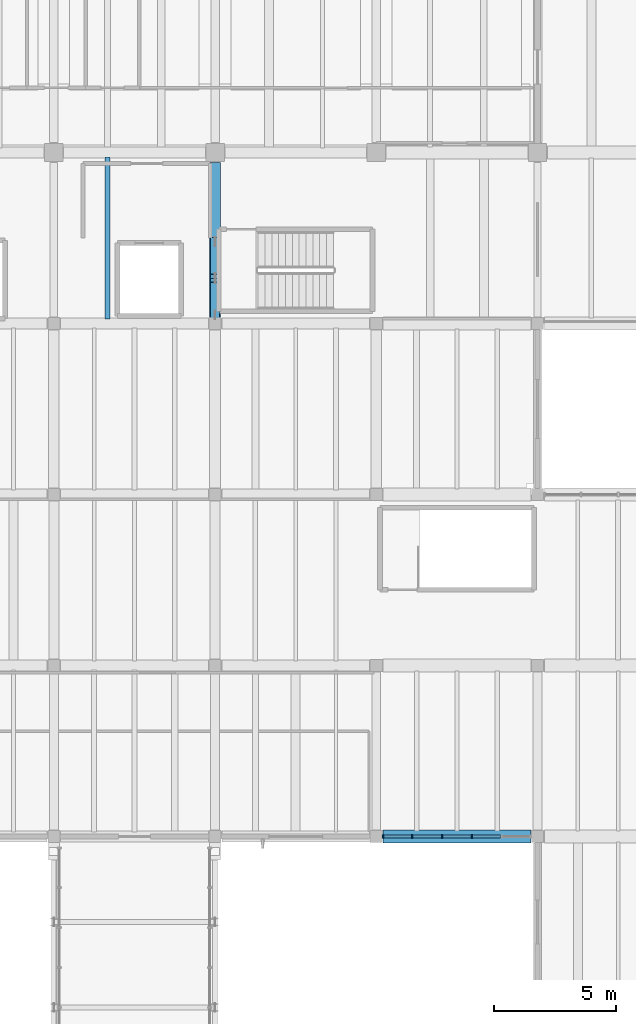
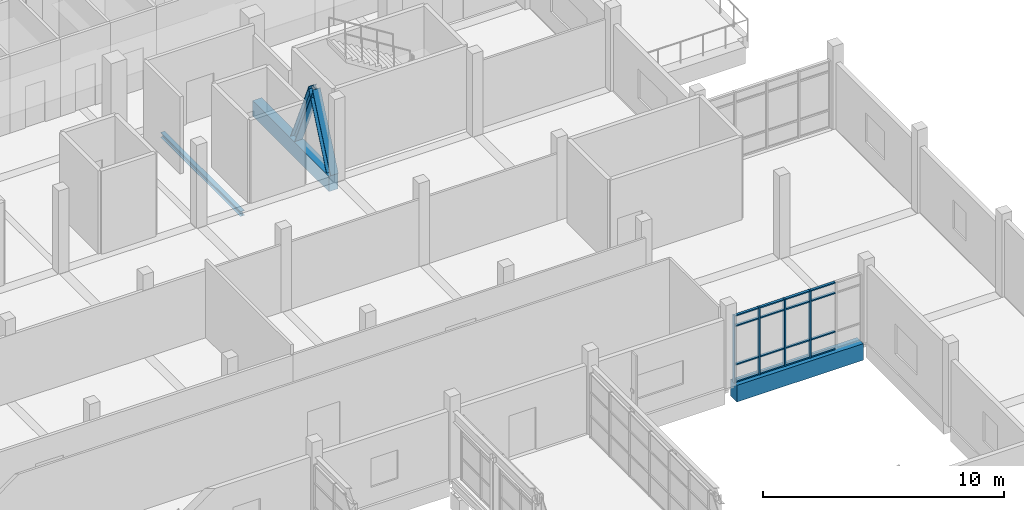
# One storey, part 29 of 65: 22 members, 3 beams, 1 element without a shape of its own.
"""IFC4 building model written with IfcOpenShell, lengths in metres."""

import ifcopenshell
import ifcopenshell.guid

model = None  # the IFC model being written
_history = None  # IfcOwnerHistory: only IFC2X3 demands one
_inside = {}  # id of a spatial element -> (the spatial element, [elements in it])
_under = {}  # id of a project, library or spatial element -> (it, [spatial elements below it])
_declared = {}  # id of a project -> (the project, [libraries it declares])
_typed = {}  # id of a type object -> (the type object, [elements of that type])
_made_of = {}  # id of a material, layer set ... -> (it, [elements and type objects made of it])


def new_model(schema):
    """Start an empty IFC model of exactly this schema.

    Asked for "IFC4X3", IfcOpenShell would pick the latest addendum, in which some entities
    have other attributes; the version numbers below select the first issue.
    IFC2X3 requires an IfcOwnerHistory on every rooted entity: one is made here for all.
    """
    global model, _history
    if schema == "IFC4X3":
        model = ifcopenshell.file(schema_version=(4, 3, 0, 0))
    else:
        model = ifcopenshell.file(schema=schema)
    _inside.clear()
    _under.clear()
    _declared.clear()
    _typed.clear()
    _made_of.clear()
    _history = None
    if model.schema == "IFC2X3":
        org = make("IfcOrganization", Name="unknown")
        user = make(
            "IfcPersonAndOrganization",
            ThePerson=make("IfcPerson", FamilyName="unknown"),
            TheOrganization=org,
        )
        app = make(
            "IfcApplication",
            ApplicationDeveloper=org,
            Version="unknown",
            ApplicationFullName="unknown",
            ApplicationIdentifier="unknown",
        )
        _history = make(
            "IfcOwnerHistory",
            OwningUser=user,
            OwningApplication=app,
            ChangeAction="ADDED",
            CreationDate=0,
        )
    return model


def make(cls, **values):
    """One entity of the class cls with the attributes given. An attribute that is None is left unset."""
    return model.create_entity(
        cls, **{name: value for name, value in values.items() if value is not None}
    )


def rooted(cls, **values):
    """An entity with a GlobalId (a new one), such as an element, a storey or a relation."""
    return make(cls, GlobalId=ifcopenshell.guid.new(), OwnerHistory=_history, **values)


def si_unit(unit_type, name, prefix=None):
    """IfcSIUnit, for example si_unit("LENGTHUNIT", "METRE", prefix="MILLI")."""
    return make("IfcSIUnit", UnitType=unit_type, Prefix=prefix, Name=name)


def assignment(units):
    """IfcUnitAssignment: the units of a project."""
    return None if units is None else make("IfcUnitAssignment", Units=units)


def point(xyz):
    """IfcCartesianPoint."""
    return None if xyz is None else make("IfcCartesianPoint", Coordinates=xyz)


def direction(xyz):
    """IfcDirection."""
    return None if xyz is None else make("IfcDirection", DirectionRatios=xyz)


def frame(location, z_axis=None, x_axis=None):
    """IfcAxis2Placement3D, a coordinate frame: its origin and axes. An axis left out is left unset."""
    return make(
        "IfcAxis2Placement3D",
        Location=point(location),
        Axis=direction(z_axis),
        RefDirection=direction(x_axis),
    )


def frame_2d(location, x_axis=None):
    """IfcAxis2Placement2D, a coordinate frame in the plane: its origin and x axis."""
    return make(
        "IfcAxis2Placement2D", Location=point(location), RefDirection=direction(x_axis)
    )


def origin():
    """The frame at (0, 0, 0) with its axes left unset."""
    return frame((0.0, 0.0, 0.0))


def origin_2d():
    """The frame at (0, 0) in the plane with its x axis left unset."""
    return frame_2d((0.0, 0.0))


def place(relative_to, where):
    """IfcLocalPlacement: puts the frame where relative to a parent placement (None: the world)."""
    return make(
        "IfcLocalPlacement", PlacementRelTo=relative_to, RelativePlacement=where
    )


def context(
    kind, dimensions, precision=None, world=None, true_north=None, identifier=None
):
    """IfcGeometricRepresentationContext, for example the 3D "Model" context."""
    return make(
        "IfcGeometricRepresentationContext",
        ContextIdentifier=identifier,
        ContextType=kind,
        CoordinateSpaceDimension=dimensions,
        Precision=precision,
        WorldCoordinateSystem=world,
        TrueNorth=true_north,
    )


def subcontext(parent, identifier, kind, view, scale=None):
    """IfcGeometricRepresentationSubContext, for example "Body" below "Model"."""
    return make(
        "IfcGeometricRepresentationSubContext",
        ContextIdentifier=identifier,
        ContextType=kind,
        ParentContext=parent,
        TargetScale=scale,
        TargetView=view,
    )


def project(units=None, contexts=None):
    """IfcProject with its units and contexts."""
    return rooted(
        "IfcProject",
        Name="project",
        RepresentationContexts=contexts,
        UnitsInContext=assignment(units),
    )


def spatial(cls, under=None, at=None, **own):
    """A site, building, storey or space (cls), placed at a placement, below another one or the project."""
    s = rooted(cls, ObjectPlacement=at, **own)
    if under is not None:
        _under.setdefault(under.id(), (under, []))[1].append(s)
    return s


def profile(cls, at=None, kind="AREA", **sizes):
    """A parametric profile (cls). Its sizes go by their IFC names, for example OverallWidth=200.0."""
    return make(cls, ProfileType=kind, Position=at, **sizes)


def rectangle(**sizes):
    """IfcRectangleProfileDef."""
    return profile("IfcRectangleProfileDef", **sizes)


def i_section(**sizes):
    """IfcIShapeProfileDef."""
    return profile("IfcIShapeProfileDef", **sizes)


def extrude(swept, where, along, depth):
    """IfcExtrudedAreaSolid: the profile swept, set in the frame where, extruded along a direction by depth."""
    return make(
        "IfcExtrudedAreaSolid",
        SweptArea=swept,
        Position=where,
        ExtrudedDirection=direction(along),
        Depth=depth,
    )


def shape(context_of_items, identifier, shape_type, items):
    """IfcShapeRepresentation: the items that make up one representation, for example the "Body"."""
    return make(
        "IfcShapeRepresentation",
        ContextOfItems=context_of_items,
        RepresentationIdentifier=identifier,
        RepresentationType=shape_type,
        Items=items,
    )


def material(Name=None, Category=None):
    """IfcMaterial."""
    return make("IfcMaterial", Name=Name, Category=Category)


def material_profile(
    of_material, cross_section, Name=None, Category=None, Priority=None
):
    """IfcMaterialProfile: a cross section and its material."""
    return make(
        "IfcMaterialProfile",
        Name=Name,
        Material=of_material,
        Profile=cross_section,
        Priority=Priority,
        Category=Category,
    )


def profile_set(profiles, Name=None, composite=None):
    """IfcMaterialProfileSet."""
    return make(
        "IfcMaterialProfileSet",
        Name=Name,
        MaterialProfiles=profiles,
        CompositeProfile=composite,
    )


def made_of(thing, what):
    """Note that an element or type object is made of a material, layer set ...; save() writes the relation."""
    if what is not None:
        _made_of.setdefault(what.id(), (what, []))[1].append(thing)
    return thing


def type_object(cls, material=None, **own):
    """A type object (cls), such as IfcWallType, which elements share."""
    return made_of(rooted(cls, **own), material)


def element(
    cls,
    number,
    at=None,
    inside=None,
    cuts=None,
    type_object=None,
    material=None,
    context=None,
    identifier="Body",
    shape_type=None,
    held_by="IfcProductDefinitionShape",
    body=None,
    shapes=None,
    **own,
):
    """One element of the class cls, such as IfcWall. Its Tag is "e" and its number.

    at: its placement. inside: the storey or other place that contains it. cuts: it is an
    opening in that element (IfcRelVoidsElement). A single representation is given by context,
    identifier, shape_type and body (its items); several are given by shapes. held_by: the class
    of the entity that holds the representations. save() writes the other relations.
    """
    e = rooted(cls, Tag="e%d" % number, ObjectPlacement=at, **own)
    if body is not None:
        shapes = [shape(context, identifier, shape_type, body)]
    if shapes is not None:
        e.Representation = make(held_by, Representations=shapes)
    if inside is not None:
        _inside.setdefault(inside.id(), (inside, []))[1].append(e)
    if cuts is not None:
        rooted(
            "IfcRelVoidsElement", RelatingBuildingElement=cuts, RelatedOpeningElement=e
        )
    if type_object is not None:
        _typed.setdefault(type_object.id(), (type_object, []))[1].append(e)
    return made_of(e, material)


def aggregate(whole, parts):
    """IfcRelAggregates: a whole, such as a stair, and the parts it consists of."""
    return rooted("IfcRelAggregates", RelatingObject=whole, RelatedObjects=parts)


def save(model, path):
    """Write the relations noted so far, then the file.

    IfcRelAggregates (storeys below a building ...), IfcRelContainedInSpatialStructure (elements
    in a storey), IfcRelDefinesByType, IfcRelAssociatesMaterial and IfcRelDeclares: one each for
    every whole, place, type object, material and project.
    """
    for whole, parts in _under.values():
        aggregate(whole, parts)
    for where, things in _inside.values():
        rooted(
            "IfcRelContainedInSpatialStructure",
            RelatedElements=things,
            RelatingStructure=where,
        )
    for kind, things in _typed.values():
        rooted("IfcRelDefinesByType", RelatedObjects=things, RelatingType=kind)
    for what, things in _made_of.values():
        rooted("IfcRelAssociatesMaterial", RelatedObjects=things, RelatingMaterial=what)
    for by, libraries in _declared.values():
        rooted("IfcRelDeclares", RelatingContext=by, RelatedDefinitions=libraries)
    model.write(path)


model = new_model("IFC4")

# Units and contexts
model_context = context("Model", 3, precision=1e-05, world=origin(), true_north=direction((0.0, 1.0)))
body_context = subcontext(model_context, "Body", "Model", "MODEL_VIEW")
ifc_project = project(units=[si_unit("LENGTHUNIT", "METRE"), si_unit("AREAUNIT", "SQUARE_METRE"), si_unit("VOLUMEUNIT", "CUBIC_METRE"), si_unit("PLANEANGLEUNIT", "RADIAN"), si_unit("MASSUNIT", "GRAM", prefix="KILO")], contexts=[model_context])

# Site, building, storey
site_placement = place(None, origin())
site = spatial("IfcSite", under=ifc_project, at=site_placement, CompositionType="ELEMENT")
building_placement = place(site_placement, origin())
building = spatial("IfcBuilding", under=site, at=building_placement, Name="Ciguamira Faculty of Natural Sciences", CompositionType="ELEMENT")
storey_placement = place(building_placement, frame((0.0, 0.0, 12.60009765625)))
storey = spatial("IfcBuildingStorey", under=building, at=storey_placement, Name="L03", CompositionType="ELEMENT", Elevation=12.60009765625)

# Curtain wall, members
ifc_material_1 = material(Name="Anodized aluminium curtain wall", Category="aluminium")
curtain_wall_type = type_object("IfcCurtainWallType", Name="CurtainWall_CW-10", PredefinedType="USERDEFINED", material=ifc_material_1)
curtain_wall_placement = place(storey_placement, origin())
curtain_wall = element("IfcCurtainWall", 1, at=curtain_wall_placement, inside=storey, type_object=curtain_wall_type, Name="L03 unitised curtain wall 0094", ObjectType="UNITISED CURTAIN WALL", PredefinedType="USERDEFINED")
ifc_material_2 = material(Name="Anodized aluminium mullion", Category="aluminium")
ifc_material_profile_1 = material_profile(ifc_material_2, rectangle(XDim=0.06005859375, YDim=0.159912109375, at=origin_2d()), Name="ALU-MUL-60X160")
ifc_profile_set_1 = profile_set([ifc_material_profile_1], Name="Anodized aluminium mullion")
member_type_1 = type_object("IfcMemberType", Name="CWMullion_CWM-01", PredefinedType="MULLION", material=ifc_profile_set_1)
member_1_placement = place(storey_placement, frame((103.780029296875, 73.0, 0.0), z_axis=(0.0, 0.0, 1.0), x_axis=(1.0, 0.0, 0.0)))
member_1 = element("IfcMember", 2, at=member_1_placement, type_object=member_type_1, Name="CW-10 mullion 1", PredefinedType="MULLION", context=body_context, shape_type="SweptSolid", body=[
    extrude(rectangle(XDim=0.06005859375, YDim=0.159912109375, at=origin_2d()), origin(), (0.0, 0.0, 1.0), 3.40478515625),
])
member_2_placement = place(storey_placement, frame((104.969970703125, 73.0, 0.0), z_axis=(0.0, 0.0, 1.0), x_axis=(1.0, 0.0, 0.0)))
member_2 = element("IfcMember", 3, at=member_2_placement, type_object=member_type_1, Name="CW-10 mullion 2", PredefinedType="MULLION", context=body_context, shape_type="SweptSolid", body=[
    extrude(rectangle(XDim=0.06005859375, YDim=0.159912109375, at=origin_2d()), origin(), (0.0, 0.0, 1.0), 3.40478515625),
])
member_3_placement = place(storey_placement, frame((106.18994140625, 73.0, 0.0), z_axis=(0.0, 0.0, 1.0), x_axis=(1.0, 0.0, 0.0)))
member_3 = element("IfcMember", 4, at=member_3_placement, type_object=member_type_1, Name="CW-10 mullion 3", PredefinedType="MULLION", context=body_context, shape_type="SweptSolid", body=[
    extrude(rectangle(XDim=0.06005859375, YDim=0.159912109375, at=origin_2d()), origin(), (0.0, 0.0, 1.0), 3.40478515625),
])
member_4_placement = place(storey_placement, frame((107.409912109375, 73.0, 0.0), z_axis=(0.0, 0.0, 1.0), x_axis=(1.0, 0.0, 0.0)))
member_4 = element("IfcMember", 5, at=member_4_placement, type_object=member_type_1, Name="CW-10 mullion 4", PredefinedType="MULLION", context=body_context, shape_type="SweptSolid", body=[
    extrude(rectangle(XDim=0.06005859375, YDim=0.159912109375, at=origin_2d()), origin(), (0.0, 0.0, 1.0), 3.40478515625),
])
ifc_material_3 = material(Name="Anodized aluminium transom", Category="aluminium")
ifc_material_profile_2 = material_profile(ifc_material_3, rectangle(XDim=0.06005859375, YDim=0.1201171875, at=origin_2d()), Name="ALU-TRN-60X120")
ifc_profile_set_2 = profile_set([ifc_material_profile_2], Name="Anodized aluminium transom")
member_type_2 = type_object("IfcMemberType", Name="CWTransom_CWT-01", PredefinedType="USERDEFINED", material=ifc_profile_set_2)
member_5_placement = place(storey_placement, frame((103.81005859375, 73.0, 0.02978515625), z_axis=(1.0, 0.0, 0.0), x_axis=(0.0, 0.0, 1.0)))
member_5 = element("IfcMember", 6, at=member_5_placement, type_object=member_type_2, Name="CW-10 transom 1.1", ObjectType="TRANSOM", PredefinedType="USERDEFINED", context=body_context, shape_type="SweptSolid", body=[
    extrude(rectangle(XDim=0.06005859375, YDim=0.1201171875, at=origin_2d()), origin(), (0.0, 0.0, 1.0), 1.1298828125),
])
member_6_placement = place(storey_placement, frame((103.81005859375, 73.0, 0.89990234375), z_axis=(1.0, 0.0, 0.0), x_axis=(0.0, 0.0, 1.0)))
member_6 = element("IfcMember", 7, at=member_6_placement, type_object=member_type_2, Name="CW-10 transom 1.2", ObjectType="TRANSOM", PredefinedType="USERDEFINED", context=body_context, shape_type="SweptSolid", body=[
    extrude(rectangle(XDim=0.06005859375, YDim=0.1201171875, at=origin_2d()), origin(), (0.0, 0.0, 1.0), 1.1298828125),
])
member_7_placement = place(storey_placement, frame((103.81005859375, 73.0, 2.85498046875), z_axis=(1.0, 0.0, 0.0), x_axis=(0.0, 0.0, 1.0)))
member_7 = element("IfcMember", 8, at=member_7_placement, type_object=member_type_2, Name="CW-10 transom 1.3", ObjectType="TRANSOM", PredefinedType="USERDEFINED", context=body_context, shape_type="SweptSolid", body=[
    extrude(rectangle(XDim=0.06005859375, YDim=0.1201171875, at=origin_2d()), origin(), (0.0, 0.0, 1.0), 1.1298828125),
])
member_8_placement = place(storey_placement, frame((103.81005859375, 73.0, 3.375), z_axis=(1.0, 0.0, 0.0), x_axis=(0.0, 0.0, 1.0)))
member_8 = element("IfcMember", 9, at=member_8_placement, type_object=member_type_2, Name="CW-10 transom 1.4", ObjectType="TRANSOM", PredefinedType="USERDEFINED", context=body_context, shape_type="SweptSolid", body=[
    extrude(rectangle(XDim=0.06005859375, YDim=0.1201171875, at=origin_2d()), origin(), (0.0, 0.0, 1.0), 1.1298828125),
])
member_9_placement = place(storey_placement, frame((105.0, 73.0, 0.02978515625), z_axis=(1.0, 0.0, 0.0), x_axis=(0.0, 0.0, 1.0)))
member_9 = element("IfcMember", 10, at=member_9_placement, type_object=member_type_2, Name="CW-10 transom 2.1", ObjectType="TRANSOM", PredefinedType="USERDEFINED", context=body_context, shape_type="SweptSolid", body=[
    extrude(rectangle(XDim=0.06005859375, YDim=0.1201171875, at=origin_2d()), origin(), (0.0, 0.0, 1.0), 1.159912109375),
])
member_10_placement = place(storey_placement, frame((105.0, 73.0, 0.89990234375), z_axis=(1.0, 0.0, 0.0), x_axis=(0.0, 0.0, 1.0)))
member_10 = element("IfcMember", 11, at=member_10_placement, type_object=member_type_2, Name="CW-10 transom 2.2", ObjectType="TRANSOM", PredefinedType="USERDEFINED", context=body_context, shape_type="SweptSolid", body=[
    extrude(rectangle(XDim=0.06005859375, YDim=0.1201171875, at=origin_2d()), origin(), (0.0, 0.0, 1.0), 1.159912109375),
])
member_11_placement = place(storey_placement, frame((105.0, 73.0, 2.85498046875), z_axis=(1.0, 0.0, 0.0), x_axis=(0.0, 0.0, 1.0)))
member_11 = element("IfcMember", 12, at=member_11_placement, type_object=member_type_2, Name="CW-10 transom 2.3", ObjectType="TRANSOM", PredefinedType="USERDEFINED", context=body_context, shape_type="SweptSolid", body=[
    extrude(rectangle(XDim=0.06005859375, YDim=0.1201171875, at=origin_2d()), origin(), (0.0, 0.0, 1.0), 1.159912109375),
])
member_12_placement = place(storey_placement, frame((105.0, 73.0, 3.375), z_axis=(1.0, 0.0, 0.0), x_axis=(0.0, 0.0, 1.0)))
member_12 = element("IfcMember", 13, at=member_12_placement, type_object=member_type_2, Name="CW-10 transom 2.4", ObjectType="TRANSOM", PredefinedType="USERDEFINED", context=body_context, shape_type="SweptSolid", body=[
    extrude(rectangle(XDim=0.06005859375, YDim=0.1201171875, at=origin_2d()), origin(), (0.0, 0.0, 1.0), 1.159912109375),
])
member_13_placement = place(storey_placement, frame((106.219970703125, 73.0, 0.02978515625), z_axis=(1.0, 0.0, 0.0), x_axis=(0.0, 0.0, 1.0)))
member_13 = element("IfcMember", 14, at=member_13_placement, type_object=member_type_2, Name="CW-10 transom 3.1", ObjectType="TRANSOM", PredefinedType="USERDEFINED", context=body_context, shape_type="SweptSolid", body=[
    extrude(rectangle(XDim=0.06005859375, YDim=0.1201171875, at=origin_2d()), origin(), (0.0, 0.0, 1.0), 1.159912109375),
])
member_14_placement = place(storey_placement, frame((106.219970703125, 73.0, 0.89990234375), z_axis=(1.0, 0.0, 0.0), x_axis=(0.0, 0.0, 1.0)))
member_14 = element("IfcMember", 15, at=member_14_placement, type_object=member_type_2, Name="CW-10 transom 3.2", ObjectType="TRANSOM", PredefinedType="USERDEFINED", context=body_context, shape_type="SweptSolid", body=[
    extrude(rectangle(XDim=0.06005859375, YDim=0.1201171875, at=origin_2d()), origin(), (0.0, 0.0, 1.0), 1.159912109375),
])
member_15_placement = place(storey_placement, frame((106.219970703125, 73.0, 2.85498046875), z_axis=(1.0, 0.0, 0.0), x_axis=(0.0, 0.0, 1.0)))
member_15 = element("IfcMember", 16, at=member_15_placement, type_object=member_type_2, Name="CW-10 transom 3.3", ObjectType="TRANSOM", PredefinedType="USERDEFINED", context=body_context, shape_type="SweptSolid", body=[
    extrude(rectangle(XDim=0.06005859375, YDim=0.1201171875, at=origin_2d()), origin(), (0.0, 0.0, 1.0), 1.159912109375),
])
member_16_placement = place(storey_placement, frame((106.219970703125, 73.0, 3.375), z_axis=(1.0, 0.0, 0.0), x_axis=(0.0, 0.0, 1.0)))
member_16 = element("IfcMember", 17, at=member_16_placement, type_object=member_type_2, Name="CW-10 transom 3.4", ObjectType="TRANSOM", PredefinedType="USERDEFINED", context=body_context, shape_type="SweptSolid", body=[
    extrude(rectangle(XDim=0.06005859375, YDim=0.1201171875, at=origin_2d()), origin(), (0.0, 0.0, 1.0), 1.159912109375),
])
member_17_placement = place(storey_placement, frame((107.43994140625, 73.0, 0.02978515625), z_axis=(1.0, 0.0, 0.0), x_axis=(0.0, 0.0, 1.0)))
member_17 = element("IfcMember", 18, at=member_17_placement, type_object=member_type_2, Name="CW-10 transom 4.1", ObjectType="TRANSOM", PredefinedType="USERDEFINED", context=body_context, shape_type="SweptSolid", body=[
    extrude(rectangle(XDim=0.06005859375, YDim=0.1201171875, at=origin_2d()), origin(), (0.0, 0.0, 1.0), 1.16015625),
])
member_18_placement = place(storey_placement, frame((107.43994140625, 73.0, 0.89990234375), z_axis=(1.0, 0.0, 0.0), x_axis=(0.0, 0.0, 1.0)))
member_18 = element("IfcMember", 19, at=member_18_placement, type_object=member_type_2, Name="CW-10 transom 4.2", ObjectType="TRANSOM", PredefinedType="USERDEFINED", context=body_context, shape_type="SweptSolid", body=[
    extrude(rectangle(XDim=0.06005859375, YDim=0.1201171875, at=origin_2d()), origin(), (0.0, 0.0, 1.0), 1.16015625),
])
member_19_placement = place(storey_placement, frame((107.43994140625, 73.0, 2.85498046875), z_axis=(1.0, 0.0, 0.0), x_axis=(0.0, 0.0, 1.0)))
member_19 = element("IfcMember", 20, at=member_19_placement, type_object=member_type_2, Name="CW-10 transom 4.3", ObjectType="TRANSOM", PredefinedType="USERDEFINED", context=body_context, shape_type="SweptSolid", body=[
    extrude(rectangle(XDim=0.06005859375, YDim=0.1201171875, at=origin_2d()), origin(), (0.0, 0.0, 1.0), 1.16015625),
])
member_20_placement = place(storey_placement, frame((107.43994140625, 73.0, 3.375), z_axis=(1.0, 0.0, 0.0), x_axis=(0.0, 0.0, 1.0)))
member_20 = element("IfcMember", 21, at=member_20_placement, type_object=member_type_2, Name="CW-10 transom 4.4", ObjectType="TRANSOM", PredefinedType="USERDEFINED", context=body_context, shape_type="SweptSolid", body=[
    extrude(rectangle(XDim=0.06005859375, YDim=0.1201171875, at=origin_2d()), origin(), (0.0, 0.0, 1.0), 1.16015625),
])
aggregate(curtain_wall, [member_1, member_2, member_3, member_4, member_5, member_6, member_7, member_8, member_9, member_10, member_11, member_12, member_13, member_14, member_15, member_16, member_17, member_18, member_19, member_20])

# Beams
ifc_material_4 = material(Name="Concrete C40/50", Category="concrete")
ifc_material_profile_3 = material_profile(ifc_material_4, rectangle(XDim=0.43994140625, YDim=0.780029296875, at=origin_2d()), Name="RC-BM-440X780")
ifc_profile_set_3 = profile_set([ifc_material_profile_3], Name="Concrete C40/50")
beam_type_1 = type_object("IfcBeamType", Name="RCBeam_BG-06_RC-BM-440X780", PredefinedType="BEAM", material=ifc_profile_set_3)
beam_1_placement = place(storey_placement, frame((96.89990234375, 94.27490234375, -0.39013671875), z_axis=(0.0, 1.0, 0.0), x_axis=(-1.0, 0.0, 0.0)))
element("IfcBeam", 22, at=beam_1_placement, inside=storey, type_object=beam_type_1, Name="L03 core-end brace tie girder 96", PredefinedType="BEAM", context=body_context, shape_type="SweptSolid", body=[
    extrude(rectangle(XDim=0.43994140625, YDim=0.780029296875, at=origin_2d()), origin(), (0.0, 0.0, 1.0), 6.3251953125),
])
ifc_material_profile_4 = material_profile(ifc_material_4, rectangle(XDim=0.52001953125, YDim=0.840087890625, at=origin_2d()), Name="RC-TB-520X840")
ifc_profile_set_4 = profile_set([ifc_material_profile_4], Name="Concrete C40/50")
beam_type_2 = type_object("IfcBeamType", Name="RCBeam_TB-02_RC-TB-520X840", PredefinedType="T_BEAM", material=ifc_profile_set_4)
beam_2_placement = place(storey_placement, frame((103.77490234375, 73.0, -0.420166015625), z_axis=(1.0, 0.0, 0.0), x_axis=(0.0, 1.0, 0.0)))
element("IfcBeam", 23, at=beam_2_placement, inside=storey, type_object=beam_type_2, Name="L03 RC girder EW-1127", PredefinedType="T_BEAM", context=body_context, shape_type="SweptSolid", body=[
    extrude(rectangle(XDim=0.52001953125, YDim=0.840087890625, at=origin_2d()), origin(), (0.0, 0.0, 1.0), 6.050048828125),
])
ifc_material_5 = material(Name="Steel ASTM A992 Grade 50", Category="steel")
ifc_material_profile_5 = material_profile(ifc_material_5, i_section(OverallWidth=0.2021484375, OverallDepth=0.2470703125, WebThickness=0.00732421875, FlangeThickness=0.010986328125, at=origin_2d()), Name="W10X33")
ifc_profile_set_5 = profile_set([ifc_material_profile_5], Name="Steel ASTM A992 Grade 50")
beam_type_3 = type_object("IfcBeamType", Name="SteelJoist_SJ-02_W10X33", PredefinedType="JOIST", material=ifc_profile_set_5)
beam_3_placement = place(storey_placement, frame((92.5, 94.18994140625, -0.36376953125), z_axis=(0.0, 1.0, 0.0), x_axis=(-1.0, 0.0, 0.0)))
element("IfcBeam", 24, at=beam_3_placement, inside=storey, type_object=beam_type_3, Name="L03 composite steel joist 01174", PredefinedType="JOIST", context=body_context, shape_type="SweptSolid", body=[
    extrude(i_section(OverallWidth=0.2021484375, OverallDepth=0.2470703125, WebThickness=0.00732421875, FlangeThickness=0.010986328125, at=origin_2d()), origin(), (0.0, 0.0, 1.0), 6.6201171875),
])

# Members
ifc_material_profile_6 = material_profile(ifc_material_5, i_section(OverallWidth=0.370849609375, OverallDepth=0.36328125, WebThickness=0.013427734375, FlangeThickness=0.021728515625, at=origin_2d()), Name="W14X109")
ifc_profile_set_6 = profile_set([ifc_material_profile_6], Name="Steel ASTM A992 Grade 50")
member_type_3 = type_object("IfcMemberType", Name="SteelMember_BR-02_W14X109", PredefinedType="BRACE", material=ifc_profile_set_6)
for number, where, z_axis, x_axis, name in (
    (25, (96.89990234375, 94.35009765625, 0.0), (0.0, 0.401669190317, 0.915784833653), (-1.0, 0.0, 0.0), "L03 lateral chevron brace 019"),
    (26, (96.89990234375, 97.35009765625, 0.0), (0.0, -0.401669190317, 0.915784833653), (1.0, 0.0, 0.0), "L03 lateral chevron brace 020"),
):
    element("IfcMember", number, at=place(storey_placement, frame(where, z_axis=z_axis, x_axis=x_axis)), inside=storey, type_object=member_type_3, Name=name, PredefinedType="BRACE", context=body_context, shape_type="SweptSolid", body=[
        extrude(i_section(OverallWidth=0.370849609375, OverallDepth=0.36328125, WebThickness=0.013427734375, FlangeThickness=0.021728515625, at=origin_2d()), origin(), (0.0, 0.0, 1.0), 3.734375),
    ])

save(model, "model.ifc")
